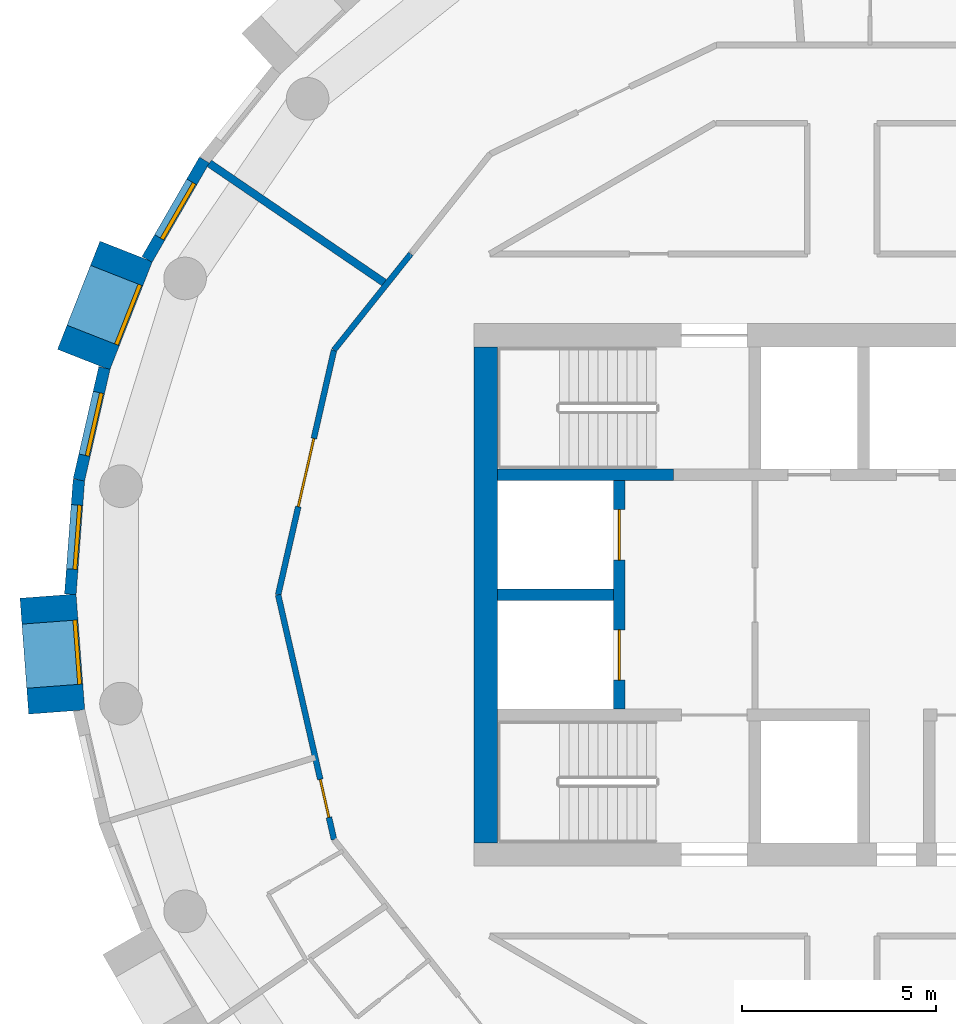
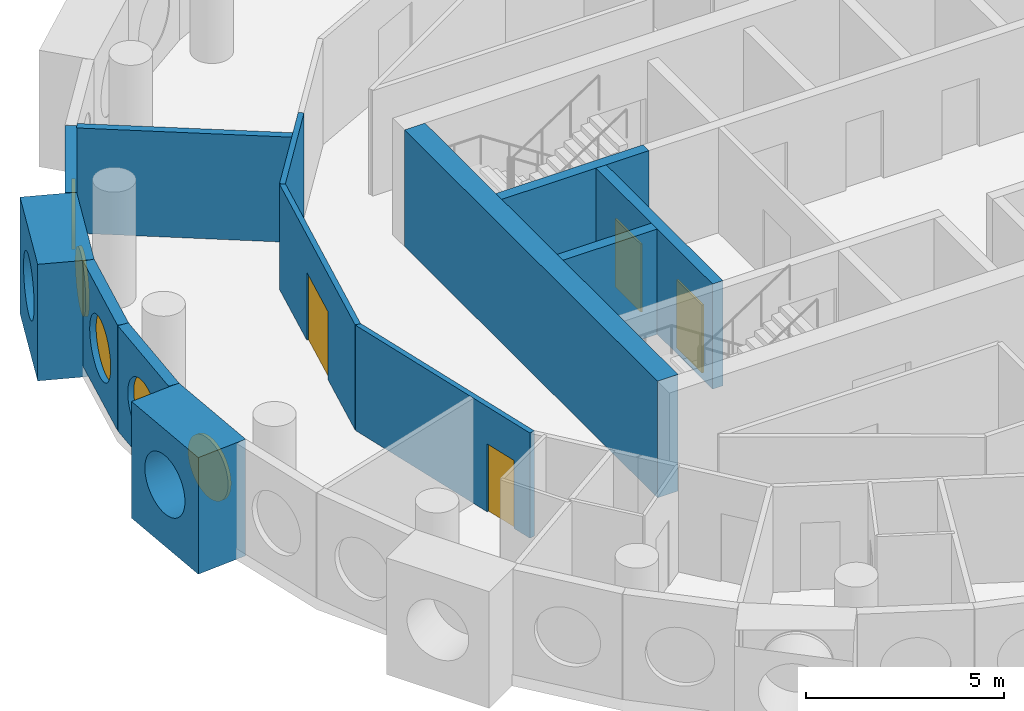
# One storey, part 6 of 13: 13 walls, 5 windows, 4 doors, 9 openings.
"""IFC4 building model written with IfcOpenShell, lengths in metres."""

from ifc_helpers import new_model, si_unit, direction, frame, frame_2d, origin, origin_2d, place, context, subcontext, project, spatial, rectangle, circle, extrude, material, layer, layer_set, type_object, element, fill, save


model = new_model("IFC4")

# Units and contexts
model_context = context("Model", 3, precision=1e-05, world=origin(), true_north=direction((0.0, 1.0)))
body_context = subcontext(model_context, "Body", "Model", "MODEL_VIEW")
ifc_project = project(units=[si_unit("LENGTHUNIT", "METRE"), si_unit("AREAUNIT", "SQUARE_METRE"), si_unit("VOLUMEUNIT", "CUBIC_METRE"), si_unit("PLANEANGLEUNIT", "RADIAN"), si_unit("MASSUNIT", "GRAM", prefix="KILO")], contexts=[model_context])

# Site, building, storey
site_placement = place(None, origin())
site = spatial("IfcSite", under=ifc_project, at=site_placement, CompositionType="ELEMENT")
building_placement = place(site_placement, origin())
building = spatial("IfcBuilding", under=site, at=building_placement, Name="Tracery Tower", CompositionType="ELEMENT")
storey_placement = place(building_placement, frame((0.0, 0.0, 256.199951171875)))
storey = spatial("IfcBuildingStorey", under=building, at=storey_placement, Name="L66", CompositionType="ELEMENT", Elevation=256.199951171875)

# Wall
ifc_material_1 = material(Name="Concrete C40/50", Category="concrete")
ifc_layer_1 = layer(ifc_material_1, 0.60009765625)
ifc_layer_set_1 = layer_set([ifc_layer_1], Name="Core wall 600 C40")
wall_type_1 = type_object("IfcWallType", Name="Core wall 600 C40", PredefinedType="SOLIDWALL", material=ifc_layer_set_1)
wall_1_placement = place(storey_placement, frame((-9.199951171875, -6.39990234375, 0.0), z_axis=(0.0, 0.0, 1.0), x_axis=(0.0, 1.0, 0.0)))
element("IfcWall", 1, at=wall_1_placement, inside=storey, type_object=wall_type_1, Name="L66 outer W", PredefinedType="SOLIDWALL", context=body_context, shape_type="SweptSolid", body=[
    extrude(rectangle(XDim=12.7998046875, YDim=0.60009765625, at=frame_2d((6.39990234375, 0.0))), origin(), (0.0, 0.0, 1.0), 3.60009765625),
])

# Wall, opening, window
ifc_material_2 = material(Name="Precast concrete C50/60", Category="concrete")
ifc_layer_2 = layer(ifc_material_2, 1.449951171875)
ifc_layer_set_2 = layer_set([ifc_layer_2], Name="Deep-set bay unit 3000 x 3600, slab edge 350")
wall_type_2 = type_object("IfcWallType", Name="Deep-set bay unit 3000 x 3600, slab edge 350", PredefinedType="ELEMENTEDWALL", material=ifc_layer_set_2)
wall_2_placement = place(storey_placement, frame((-18.47998046875, 8.8642578125, -0.349853515625), z_axis=(0.0, 0.0, 1.0), x_axis=(-0.36537792632, -0.93085926485, 0.0)))
wall_2 = element("IfcWall", 2, at=wall_2_placement, inside=storey, type_object=wall_type_2, Name="Deep-set bay unit 19 at L66", PredefinedType="ELEMENTEDWALL", context=body_context, shape_type="SweptSolid", body=[
    extrude(rectangle(XDim=3.000244140625, YDim=1.449951171875, at=frame_2d((1.5, 0.0))), origin(), (0.0, 0.0, 1.0), 3.599853515625),
])
opening_1_placement = place(wall_2_placement, frame((1.5, 0.0, 1.89990234375)))
opening_1 = element("IfcOpeningElement", 3, at=opening_1_placement, cuts=wall_2, Name="Opening WN1", PredefinedType="OPENING", context=body_context, shape_type="SweptSolid", body=[
    extrude(circle(Radius=0.9000244140625, at=origin_2d()), frame((0.0, 0.73486328125, 0.0), z_axis=(0.0, -1.0, 0.0), x_axis=(1.0, 0.0, 0.0)), (0.0, 0.0, 1.0), 1.469970703125),
])
ifc_material_3 = material(Name="Aluminium frame with tinted double glazing", Category="aluminium")
window_type = type_object("IfcWindowType", Name="Round window 1800", PartitioningType="SINGLE_PANEL", PredefinedType="WINDOW", material=ifc_material_3)
window_1_placement = place(opening_1_placement, origin())
window_1 = element("IfcWindow", 4, at=window_1_placement, inside=storey, type_object=window_type, Name="Round window 19 at L66", OverallHeight=1.800048828125, OverallWidth=1.800048828125, PartitioningType="SINGLE_PANEL", PredefinedType="WINDOW", context=body_context, shape_type="SweptSolid", body=[
    extrude(circle(Radius=0.9000244140625, at=origin_2d()), frame((0.0, 0.69482421875, 0.0), z_axis=(0.0, -1.0, 0.0), x_axis=(1.0, 0.0, 0.0)), (0.0, 0.0, 1.0), 0.10009765625),
])
fill(opening_1, window_1)

wall_3_placement = place(storey_placement, frame((-20.49609375, -0.03173828125, -0.349853515625), z_axis=(0.0, 0.0, 1.0), x_axis=(0.074785902127, -0.997199613339, 0.0)))
wall_3 = element("IfcWall", 5, at=wall_3_placement, inside=storey, type_object=wall_type_2, Name="Deep-set bay unit 22 at L66", PredefinedType="ELEMENTEDWALL", context=body_context, shape_type="SweptSolid", body=[
    extrude(rectangle(XDim=3.0, YDim=1.449951171875, at=frame_2d((1.5, 0.0))), origin(), (0.0, 0.0, 1.0), 3.599853515625),
])
opening_2_placement = place(wall_3_placement, frame((1.5, 0.0, 1.89990234375)))
opening_2 = element("IfcOpeningElement", 6, at=opening_2_placement, cuts=wall_3, Name="Opening WN1", PredefinedType="OPENING", context=body_context, shape_type="SweptSolid", body=[
    extrude(circle(Radius=0.9000244140625, at=origin_2d()), frame((0.0, 0.73486328125, 0.0), z_axis=(0.0, -1.0, 0.0), x_axis=(1.0, 0.0, 0.0)), (0.0, 0.0, 1.0), 1.469970703125),
])
window_2_placement = place(opening_2_placement, origin())
window_2 = element("IfcWindow", 7, at=window_2_placement, inside=storey, type_object=window_type, Name="Round window 22 at L66", OverallHeight=1.800048828125, OverallWidth=1.800048828125, PartitioningType="SINGLE_PANEL", PredefinedType="WINDOW", context=body_context, shape_type="SweptSolid", body=[
    extrude(circle(Radius=0.9000244140625, at=origin_2d()), frame((0.0, 0.69482421875, 0.0), z_axis=(0.0, -1.0, 0.0), x_axis=(1.0, 0.0, 0.0)), (0.0, 0.0, 1.0), 0.10009765625),
])
fill(opening_2, window_2)

ifc_material_4 = material(Name="Precast concrete C50/60", Category="concrete")
ifc_layer_3 = layer(ifc_material_4, 0.300048828125)
ifc_layer_set_3 = layer_set([ifc_layer_3], Name="Facade panel 3000 x 3250")
wall_type_3 = type_object("IfcWallType", Name="Facade panel 3000 x 3250", PredefinedType="SOLIDWALL", material=ifc_layer_set_3)
wall_4_placement = place(storey_placement, frame((-16.460205078125, 11.222412109375, 0.0), z_axis=(0.0, 0.0, 1.0), x_axis=(-0.499950756475, -0.86605383268, 0.0)))
wall_4 = element("IfcWall", 8, at=wall_4_placement, inside=storey, type_object=wall_type_3, Name="Facade panel 18 at L66", PredefinedType="SOLIDWALL", context=body_context, shape_type="SweptSolid", body=[
    extrude(rectangle(XDim=2.962158203125, YDim=0.300048828125, at=frame_2d((1.48095703125, 0.0))), origin(), (0.0, 0.0, 1.0), 3.25),
])
opening_3_placement = place(wall_4_placement, frame((1.48095703125, 0.0, 1.5498046875)))
opening_3 = element("IfcOpeningElement", 9, at=opening_3_placement, cuts=wall_4, Name="Opening WN1", PredefinedType="OPENING", context=body_context, shape_type="SweptSolid", body=[
    extrude(circle(Radius=0.9000244140625, at=origin_2d()), frame((0.0, 0.159912109375, 0.0), z_axis=(0.0, -1.0, 0.0), x_axis=(1.0, 0.0, 0.0)), (0.0, 0.0, 1.0), 0.320068359375),
])
window_3_placement = place(opening_3_placement, origin())
window_3 = element("IfcWindow", 10, at=window_3_placement, inside=storey, type_object=window_type, Name="Round window 18 at L66", OverallHeight=1.800048828125, OverallWidth=1.800048828125, PartitioningType="SINGLE_PANEL", PredefinedType="WINDOW", context=body_context, shape_type="SweptSolid", body=[
    extrude(circle(Radius=0.9000244140625, at=origin_2d()), frame((0.0, 0.1201171875, 0.0), z_axis=(0.0, -1.0, 0.0), x_axis=(1.0, 0.0, 0.0)), (0.0, 0.0, 1.0), 0.10009765625),
])
fill(opening_3, window_3)

wall_5_placement = place(storey_placement, frame((-19.0400390625, 5.857177734375, 0.0), z_axis=(0.0, 0.0, 1.0), x_axis=(-0.222529389789, -0.974925982155, 0.0)))
wall_5 = element("IfcWall", 11, at=wall_5_placement, inside=storey, type_object=wall_type_3, Name="Facade panel 20 at L66", PredefinedType="SOLIDWALL", context=body_context, shape_type="SweptSolid", body=[
    extrude(rectangle(XDim=2.962158203125, YDim=0.300048828125, at=frame_2d((1.48095703125, 0.0))), origin(), (0.0, 0.0, 1.0), 3.25),
])
opening_4_placement = place(wall_5_placement, frame((1.48095703125, 0.0, 1.5498046875)))
opening_4 = element("IfcOpeningElement", 12, at=opening_4_placement, cuts=wall_5, Name="Opening WN1", PredefinedType="OPENING", context=body_context, shape_type="SweptSolid", body=[
    extrude(circle(Radius=0.9000244140625, at=origin_2d()), frame((0.0, 0.159912109375, 0.0), z_axis=(0.0, -1.0, 0.0), x_axis=(1.0, 0.0, 0.0)), (0.0, 0.0, 1.0), 0.320068359375),
])
window_4_placement = place(opening_4_placement, origin())
window_4 = element("IfcWindow", 13, at=window_4_placement, inside=storey, type_object=window_type, Name="Round window 20 at L66", OverallHeight=1.800048828125, OverallWidth=1.800048828125, PartitioningType="SINGLE_PANEL", PredefinedType="WINDOW", context=body_context, shape_type="SweptSolid", body=[
    extrude(circle(Radius=0.9000244140625, at=origin_2d()), frame((0.0, 0.1201171875, 0.0), z_axis=(0.0, -1.0, 0.0), x_axis=(1.0, 0.0, 0.0)), (0.0, 0.0, 1.0), 0.10009765625),
])
fill(opening_4, window_4)

wall_6_placement = place(storey_placement, frame((-19.69921875, 2.96923828125, 0.0), z_axis=(0.0, 0.0, 1.0), x_axis=(-0.07474897196, -0.997202382263, 0.0)))
wall_6 = element("IfcWall", 14, at=wall_6_placement, inside=storey, type_object=wall_type_3, Name="Facade panel 21 at L66", PredefinedType="SOLIDWALL", context=body_context, shape_type="SweptSolid", body=[
    extrude(rectangle(XDim=2.96240234375, YDim=0.300048828125, at=frame_2d((1.481201171875, 0.0))), origin(), (0.0, 0.0, 1.0), 3.25),
])
opening_5_placement = place(wall_6_placement, frame((1.48095703125, 0.0, 1.5498046875)))
opening_5 = element("IfcOpeningElement", 15, at=opening_5_placement, cuts=wall_6, Name="Opening WN1", PredefinedType="OPENING", context=body_context, shape_type="SweptSolid", body=[
    extrude(circle(Radius=0.9000244140625, at=origin_2d()), frame((0.0, 0.159912109375, 0.0), z_axis=(0.0, -1.0, 0.0), x_axis=(1.0, 0.0, 0.0)), (0.0, 0.0, 1.0), 0.320068359375),
])
window_5_placement = place(opening_5_placement, origin())
window_5 = element("IfcWindow", 16, at=window_5_placement, inside=storey, type_object=window_type, Name="Round window 21 at L66", OverallHeight=1.800048828125, OverallWidth=1.800048828125, PartitioningType="SINGLE_PANEL", PredefinedType="WINDOW", context=body_context, shape_type="SweptSolid", body=[
    extrude(circle(Radius=0.9000244140625, at=origin_2d()), frame((0.0, 0.1201171875, 0.0), z_axis=(0.0, -1.0, 0.0), x_axis=(1.0, 0.0, 0.0)), (0.0, 0.0, 1.0), 0.10009765625),
])
fill(opening_5, window_5)

# Wall
ifc_material_5 = material(Name="Plasterboard on steel studs", Category="steel")
ifc_layer_4 = layer(ifc_material_5, 0.14990234375)
ifc_layer_set_4 = layer_set([ifc_layer_4], Name="Partition 150 corridor wall")
wall_type_4 = type_object("IfcWallType", Name="Partition 150 corridor wall", PredefinedType="PARTITIONING", material=ifc_layer_set_4)
wall_7_placement = place(storey_placement, frame((-13.115234375, 6.316162109375, 0.0), z_axis=(0.0, 0.0, 1.0), x_axis=(0.623560523309, 0.781775078761, 0.0)))
element("IfcWall", 17, at=wall_7_placement, inside=storey, type_object=wall_type_4, Name="Corridor wall RC3-034", PredefinedType="PARTITIONING", context=body_context, shape_type="SweptSolid", body=[
    extrude(rectangle(XDim=3.17724609375, YDim=0.14990234375, at=frame_2d((1.588623046875, 0.0))), origin(), (0.0, 0.0, 1.0), 3.25),
])

# Wall, opening, door
wall_8_placement = place(storey_placement, frame((-14.556884765625, 0.0, 0.0), z_axis=(0.0, 0.0, 1.0), x_axis=(0.22264061368, -0.974900588337, 0.0)))
wall_8 = element("IfcWall", 18, at=wall_8_placement, inside=storey, type_object=wall_type_4, Name="Corridor wall RC3-035", PredefinedType="PARTITIONING", context=body_context, shape_type="SweptSolid", body=[
    extrude(rectangle(XDim=6.478515625, YDim=0.14990234375, at=frame_2d((3.2392578125, 0.0))), origin(), (0.0, 0.0, 1.0), 3.25),
])
opening_6_placement = place(wall_8_placement, frame((4.888427734375, 0.0, 0.0)))
opening_6 = element("IfcOpeningElement", 19, at=opening_6_placement, cuts=wall_8, Name="Opening RC3-19", PredefinedType="OPENING", context=body_context, shape_type="SweptSolid", body=[
    extrude(rectangle(XDim=1.0, YDim=2.10009765625, at=frame_2d((0.5, 1.050048828125))), frame((0.0, 0.074951171875, 0.0), z_axis=(0.0, -1.0, 0.0), x_axis=(1.0, 0.0, 0.0)), (0.0, 0.0, 1.0), 0.14990234375),
])
ifc_material_6 = material(Name="Timber door leaf", Category="wood")
door_type_1 = type_object("IfcDoorType", Name="Door unit entrance 1000", OperationType="NOTDEFINED", PredefinedType="DOOR", material=ifc_material_6)
door_1_placement = place(opening_6_placement, origin())
door_1 = element("IfcDoor", 20, at=door_1_placement, inside=storey, type_object=door_type_1, Name="Unit entrance door RC3-19", OperationType="SINGLE_SWING_RIGHT", OverallHeight=2.10009765625, OverallWidth=1.0, PredefinedType="DOOR", context=body_context, shape_type="SweptSolid", body=[
    extrude(rectangle(XDim=1.0, YDim=2.10009765625, at=frame_2d((0.5, 1.050048828125))), frame((0.0, 0.02490234375, 0.0), z_axis=(0.0, -1.0, 0.0), x_axis=(1.0, 0.0, 0.0)), (0.0, 0.0, 1.0), 0.050048828125),
])
fill(opening_6, door_1)

wall_9_placement = place(storey_placement, frame((-14.556884765625, 0.0, 0.0), z_axis=(0.0, 0.0, 1.0), x_axis=(0.222568978642, 0.97491694505, 0.0)))
wall_9 = element("IfcWall", 21, at=wall_9_placement, inside=storey, type_object=wall_type_4, Name="Corridor wall RC3-036", PredefinedType="PARTITIONING", context=body_context, shape_type="SweptSolid", body=[
    extrude(rectangle(XDim=6.478515625, YDim=0.14990234375, at=frame_2d((3.2392578125, 0.0))), origin(), (0.0, 0.0, 1.0), 3.25),
])
opening_7_placement = place(wall_9_placement, frame((2.339111328125, 0.0, 0.0)))
opening_7 = element("IfcOpeningElement", 22, at=opening_7_placement, cuts=wall_9, Name="Opening RC3-17", PredefinedType="OPENING", context=body_context, shape_type="SweptSolid", body=[
    extrude(rectangle(XDim=1.800048828125, YDim=2.10009765625, at=frame_2d((0.89990234375, 1.050048828125))), frame((0.0, 0.074951171875, 0.0), z_axis=(0.0, -1.0, 0.0), x_axis=(1.0, 0.0, 0.0)), (0.0, 0.0, 1.0), 0.14990234375),
])
ifc_material_7 = material(Name="Timber door leaf", Category="wood")
door_type_2 = type_object("IfcDoorType", Name="Door double lounge 1800", OperationType="NOTDEFINED", PredefinedType="DOOR", material=ifc_material_7)
door_2_placement = place(opening_7_placement, origin())
door_2 = element("IfcDoor", 23, at=door_2_placement, inside=storey, type_object=door_type_2, Name="Double lounge door RC3-17", OperationType="DOUBLE_DOOR_SINGLE_SWING", OverallHeight=2.10009765625, OverallWidth=1.800048828125, PredefinedType="DOOR", context=body_context, shape_type="SweptSolid", body=[
    extrude(rectangle(XDim=1.800048828125, YDim=2.10009765625, at=frame_2d((0.89990234375, 1.050048828125))), frame((0.0, 0.02490234375, 0.0), z_axis=(0.0, -1.0, 0.0), x_axis=(1.0, 0.0, 0.0)), (0.0, 0.0, 1.0), 0.050048828125),
])
fill(opening_7, door_2)

# Walls
ifc_material_8 = material(Name="Plasterboard on steel studs", Category="steel")
ifc_layer_5 = layer(ifc_material_8, 0.199951171875)
ifc_layer_set_5 = layer_set([ifc_layer_5], Name="Partition 200 compartment wall")
wall_type_5 = type_object("IfcWallType", Name="Partition 200 compartment wall", PredefinedType="PARTITIONING", material=ifc_layer_set_5)
wall_10_placement = place(storey_placement, frame((-16.3359375, 11.137939453125, 0.0), z_axis=(0.0, 0.0, 1.0), x_axis=(0.826207761897, -0.563365542238, 0.0)))
element("IfcWall", 24, at=wall_10_placement, inside=storey, type_object=wall_type_5, Name="Compartment wall RC3-068", PredefinedType="PARTITIONING", context=body_context, shape_type="SweptSolid", body=[
    extrude(rectangle(XDim=5.53955078125, YDim=0.199951171875, at=frame_2d((2.769775390625, 0.0))), origin(), (0.0, 0.0, 1.0), 3.25),
])
ifc_material_9 = material(Name="Concrete C40/50", Category="concrete")
ifc_layer_6 = layer(ifc_material_9, 0.300048828125)
ifc_layer_set_6 = layer_set([ifc_layer_6], Name="Shaft wall 300 C40")
wall_type_6 = type_object("IfcWallType", Name="Shaft wall 300 C40", PredefinedType="SOLIDWALL", material=ifc_layer_set_6)
wall_11_placement = place(storey_placement, frame((-8.89990234375, 0.0, 0.0), z_axis=(0.0, 0.0, 1.0), x_axis=(1.0, 0.0, 0.0)))
element("IfcWall", 25, at=wall_11_placement, inside=storey, type_object=wall_type_6, Name="L66 FF split", PredefinedType="SOLIDWALL", context=body_context, shape_type="SweptSolid", body=[
    extrude(rectangle(XDim=3.0, YDim=0.300048828125, at=frame_2d((1.5, 0.0))), origin(), (0.0, 0.0, 1.0), 3.25),
])

# Wall, openings, doors
wall_12_placement = place(storey_placement, frame((-5.75, -2.949951171875, 0.0), z_axis=(0.0, 0.0, 1.0), x_axis=(0.0, 1.0, 0.0)))
wall_12 = element("IfcWall", 26, at=wall_12_placement, inside=storey, type_object=wall_type_6, Name="L66 FF doors", PredefinedType="SOLIDWALL", context=body_context, shape_type="SweptSolid", body=[
    extrude(rectangle(XDim=5.89990234375, YDim=0.300048828125, at=frame_2d((2.949951171875, 0.0))), origin(), (0.0, 0.0, 1.0), 3.25),
])
opening_8_placement = place(wall_12_placement, frame((0.75, 0.0, 0.0)))
opening_8 = element("IfcOpeningElement", 27, at=opening_8_placement, cuts=wall_12, Name="Opening KD54", PredefinedType="OPENING", context=body_context, shape_type="SweptSolid", body=[
    extrude(rectangle(XDim=1.300048828125, YDim=2.10009765625, at=frame_2d((0.64990234375, 1.050048828125))), frame((0.0, 0.14990234375, 0.0), z_axis=(0.0, -1.0, 0.0), x_axis=(1.0, 0.0, 0.0)), (0.0, 0.0, 1.0), 0.300048828125),
])
opening_9_placement = place(wall_12_placement, frame((3.85009765625, 0.0, 0.0)))
opening_9 = element("IfcOpeningElement", 28, at=opening_9_placement, cuts=wall_12, Name="Opening KD55", PredefinedType="OPENING", context=body_context, shape_type="SweptSolid", body=[
    extrude(rectangle(XDim=1.300048828125, YDim=2.10009765625, at=frame_2d((0.64990234375, 1.050048828125))), frame((0.0, 0.14990234375, 0.0), z_axis=(0.0, -1.0, 0.0), x_axis=(1.0, 0.0, 0.0)), (0.0, 0.0, 1.0), 0.300048828125),
])
ifc_material_10 = material(Name="Steel fire door", Category="steel")
door_type_3 = type_object("IfcDoorType", Name="Landing door FF 1300", OperationType="NOTDEFINED", PredefinedType="DOOR", material=ifc_material_10)
door_3_placement = place(opening_8_placement, origin())
door_3 = element("IfcDoor", 29, at=door_3_placement, inside=storey, type_object=door_type_3, Name="Landing door FF1", OperationType="SLIDING_TO_LEFT", OverallHeight=2.10009765625, OverallWidth=1.300048828125, PredefinedType="DOOR", context=body_context, shape_type="SweptSolid", body=[
    extrude(rectangle(XDim=1.300048828125, YDim=2.10009765625, at=frame_2d((0.64990234375, 1.050048828125))), frame((0.0, 0.02490234375, 0.0), z_axis=(0.0, -1.0, 0.0), x_axis=(1.0, 0.0, 0.0)), (0.0, 0.0, 1.0), 0.050048828125),
])
fill(opening_8, door_3)
door_4_placement = place(opening_9_placement, origin())
door_4 = element("IfcDoor", 30, at=door_4_placement, inside=storey, type_object=door_type_3, Name="Landing door FF2", OperationType="SLIDING_TO_RIGHT", OverallHeight=2.10009765625, OverallWidth=1.300048828125, PredefinedType="DOOR", context=body_context, shape_type="SweptSolid", body=[
    extrude(rectangle(XDim=1.300048828125, YDim=2.10009765625, at=frame_2d((0.64990234375, 1.050048828125))), frame((0.0, 0.02490234375, 0.0), z_axis=(0.0, -1.0, 0.0), x_axis=(1.0, 0.0, 0.0)), (0.0, 0.0, 1.0), 0.050048828125),
])
fill(opening_9, door_4)

# Wall
ifc_material_11 = material(Name="Concrete C40/50", Category="concrete")
ifc_layer_7 = layer(ifc_material_11, 0.300048828125)
ifc_layer_set_7 = layer_set([ifc_layer_7], Name="Stair wall 300 C40")
wall_type_7 = type_object("IfcWallType", Name="Stair wall 300 C40", PredefinedType="SOLIDWALL", material=ifc_layer_set_7)
wall_13_placement = place(storey_placement, frame((-8.89990234375, 3.10009765625, 0.0), z_axis=(0.0, 0.0, 1.0), x_axis=(1.0, 0.0, 0.0)))
element("IfcWall", 31, at=wall_13_placement, inside=storey, type_object=wall_type_7, Name="L66 row N W", PredefinedType="SOLIDWALL", context=body_context, shape_type="SweptSolid", body=[
    extrude(rectangle(XDim=4.5498046875, YDim=0.300048828125, at=frame_2d((2.27490234375, 0.0))), origin(), (0.0, 0.0, 1.0), 3.25),
])

save(model, "model.ifc")
